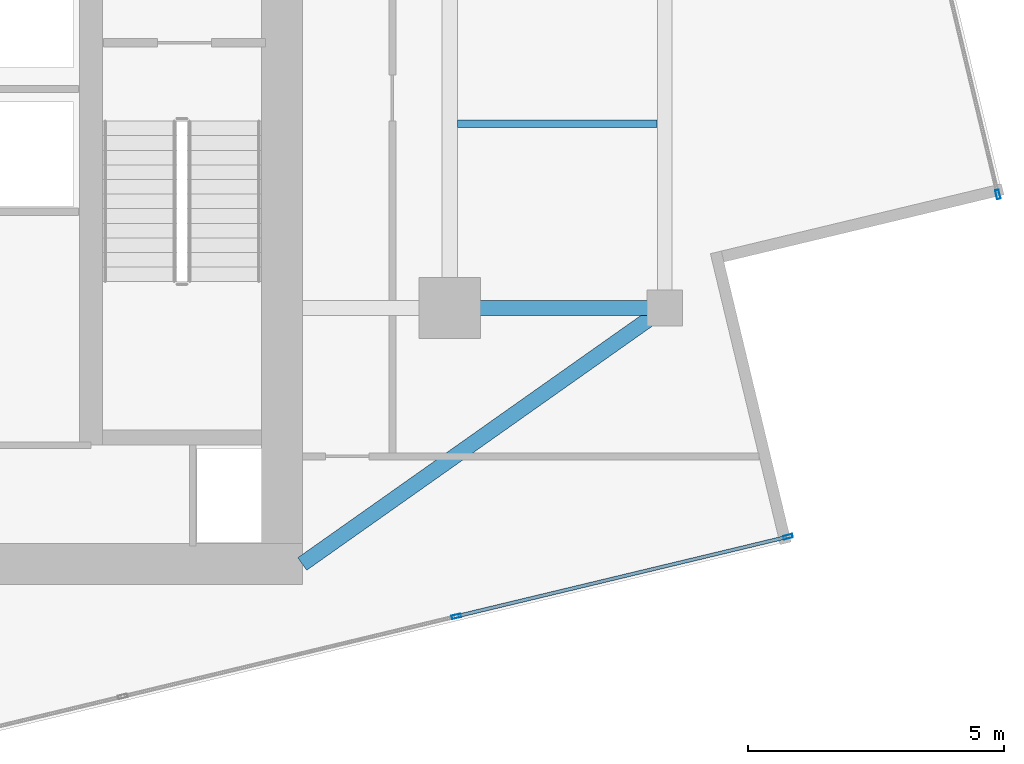
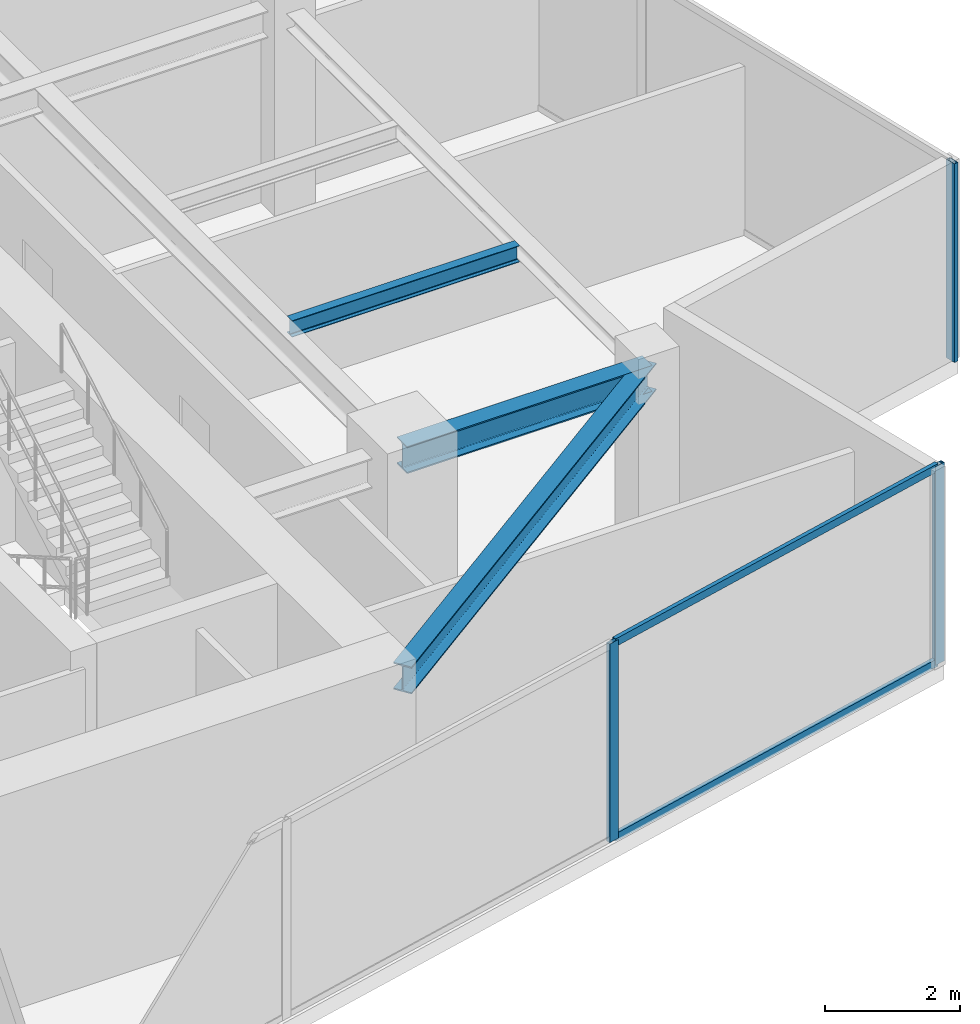
# One storey, part 9 of 22: 5 members, 3 beams, 2 elements without a shape of their own.
"""IFC4 building model written with IfcOpenShell, lengths in metres."""

from ifc_helpers import new_model, si_unit, direction, frame, origin, origin_2d, place, context, subcontext, project, spatial, hollow_rectangle, i_section, extrude, source, transform, mapped, material, material_profile, profile_set, type_object, type_shapes, element, aggregate, save


model = new_model("IFC4")

# Units and contexts
model_context = context("Model", 3, precision=1e-05, world=origin(), true_north=direction((0.0, 1.0)))
body_context = subcontext(model_context, "Body", "Model", "MODEL_VIEW")
ifc_project = project(units=[si_unit("LENGTHUNIT", "METRE"), si_unit("AREAUNIT", "SQUARE_METRE"), si_unit("VOLUMEUNIT", "CUBIC_METRE"), si_unit("PLANEANGLEUNIT", "RADIAN"), si_unit("MASSUNIT", "GRAM", prefix="KILO")], contexts=[model_context])

# Site, building, storey
site_placement = place(None, origin())
site = spatial("IfcSite", under=ifc_project, at=site_placement, CompositionType="ELEMENT")
building_placement = place(site_placement, origin())
building = spatial("IfcBuilding", under=site, at=building_placement, Name="Krantzveldt Concourse Tower", CompositionType="ELEMENT")
storey_placement = place(building_placement, frame((0.0, 0.0, 359.300048828125)))
storey = spatial("IfcBuildingStorey", under=building, at=storey_placement, Name="L88", CompositionType="ELEMENT", Elevation=359.300048828125)

# Beams
ifc_material_1 = material(Name="Steel S355JR", Category="steel")
ifc_material_profile_1 = material_profile(ifc_material_1, i_section(OverallWidth=0.300048828125, OverallDepth=0.489990234375, WebThickness=0.011962890625, FlangeThickness=0.02294921875, FilletRadius=0.027099609375, at=origin_2d()), Name="Steel S355JR", Category="steel")
ifc_profile_set_1 = profile_set([ifc_material_profile_1], Name="Steel S355JR - HEA 500")
beam_type_1 = type_object("IfcBeamType", Name="BM-B-HEA500", PredefinedType="BEAM", material=ifc_profile_set_1)
shared_shape_1 = source(origin(), body_context, "Body", "SweptSolid", [
    extrude(i_section(OverallWidth=0.300048828125, OverallDepth=0.489990234375, WebThickness=0.011962890625, FlangeThickness=0.02294921875, FilletRadius=0.027099609375, at=origin_2d()), origin(), (0.0, 0.0, 1.0), 4.199951171875),
])
beam_1_placement = place(storey_placement, frame((46.800048828125, 15.89990234375, 3.35498046875), z_axis=(1.0, 0.0, 0.0), x_axis=(0.0, 1.0, 0.0)))
element("IfcBeam", 1, at=beam_1_placement, inside=storey, type_object=beam_type_1, Name="L88 Tower Girder BR-RR1", PredefinedType="BEAM", context=body_context, shape_type="MappedRepresentation", body=[
    mapped(shared_shape_1, transform((0.0, 0.0, 0.0), x_axis=(1.0, 0.0, 0.0), y_axis=(0.0, 1.0, 0.0), z_axis=(0.0, 0.0, 1.0), scale=1.0)),
])
shared_shape_2 = source(origin(), body_context, "Body", "SweptSolid", [
    extrude(i_section(OverallWidth=0.300048828125, OverallDepth=0.489990234375, WebThickness=0.011962890625, FlangeThickness=0.02294921875, FilletRadius=0.027099609375, at=origin_2d()), origin(), (0.0, 0.0, 1.0), 8.667724609375),
])
type_shapes(beam_type_1, [shared_shape_1, shared_shape_2])
beam_2_placement = place(storey_placement, frame((51.0, 15.89990234375, 3.35498046875), z_axis=(-0.81684294656, -0.576860122261, 0.0), x_axis=(0.576860122261, -0.81684294656, 0.0)))
element("IfcBeam", 2, at=beam_2_placement, inside=storey, type_object=beam_type_1, Name="L88 Tower Girder BR-CSE", PredefinedType="BEAM", context=body_context, shape_type="MappedRepresentation", body=[
    mapped(shared_shape_2, transform((0.0, 0.0, 0.0), x_axis=(1.0, 0.0, 0.0), y_axis=(0.0, 1.0, 0.0), z_axis=(0.0, 0.0, 1.0), scale=1.0)),
])
ifc_material_profile_2 = material_profile(ifc_material_1, i_section(OverallWidth=0.14990234375, OverallDepth=0.300048828125, WebThickness=0.007080078125, FlangeThickness=0.0107421875, FilletRadius=0.014892578125, at=origin_2d()), Name="Steel S355JR", Category="steel")
ifc_profile_set_2 = profile_set([ifc_material_profile_2], Name="Steel S355JR - IPE 300")
beam_type_2 = type_object("IfcBeamType", Name="BM-J-IPE300", PredefinedType="JOIST", material=ifc_profile_set_2)
shared_shape_3 = source(origin(), body_context, "Body", "SweptSolid", [
    extrude(i_section(OverallWidth=0.14990234375, OverallDepth=0.300048828125, WebThickness=0.007080078125, FlangeThickness=0.0107421875, FilletRadius=0.014892578125, at=origin_2d()), origin(), (0.0, 0.0, 1.0), 3.900146484375),
])
type_shapes(beam_type_2, [shared_shape_3])
beam_3_placement = place(storey_placement, frame((46.949951171875, 19.5, 3.449951171875), z_axis=(1.0, 0.0, 0.0), x_axis=(0.0, 1.0, 0.0)))
element("IfcBeam", 3, at=beam_3_placement, inside=storey, type_object=beam_type_2, Name="L88 Secondary Floor Joist JE-1", PredefinedType="JOIST", context=body_context, shape_type="MappedRepresentation", body=[
    mapped(shared_shape_3, transform((0.0, 0.0, 0.0), x_axis=(1.0, 0.0, 0.0), y_axis=(0.0, 1.0, 0.0), z_axis=(0.0, 0.0, 1.0), scale=1.0)),
])

# Curtain wall, members
ifc_material_2 = material(Name="Anodised aluminium 6063-T6", Category="aluminium")
curtain_wall_type = type_object("IfcCurtainWallType", Name="CW4", PredefinedType="USERDEFINED", material=ifc_material_2)
curtain_wall_1_placement = place(storey_placement, origin())
curtain_wall_1 = element("IfcCurtainWall", 4, at=curtain_wall_1_placement, inside=storey, type_object=curtain_wall_type, Name="CW-L88-F07", ObjectType="UNITISED CURTAIN WALL", PredefinedType="USERDEFINED")
ifc_material_profile_3 = material_profile(ifc_material_2, hollow_rectangle(XDim=0.070068359375, YDim=0.139892578125, WallThickness=0.0048828125, at=origin_2d()), Name="Anodised aluminium 6063-T6", Category="aluminium")
ifc_profile_set_3 = profile_set([ifc_material_profile_3], Name="Anodised aluminium 6063-T6 - ALU-TRAN 140x70x5")
member_type_1 = type_object("IfcMemberType", Name="CW-TRN-150", PredefinedType="USERDEFINED", material=ifc_profile_set_3)
shared_shape_4 = source(origin(), body_context, "Body", "SweptSolid", [
    extrude(hollow_rectangle(XDim=0.070068359375, YDim=0.139892578125, WallThickness=0.0048828125, at=origin_2d()), origin(), (0.0, 0.0, 1.0), 6.594970703125),
])
type_shapes(member_type_1, [shared_shape_4])
member_1_placement = place(storey_placement, frame((46.96337890625, 9.884765625, 0.034912109375), z_axis=(0.972371170466, 0.233440156887, 0.0), x_axis=(-0.233440156887, 0.972371170466, 0.0)))
member_1 = element("IfcMember", 5, at=member_1_placement, type_object=member_type_1, Name="CW-Z56 transom 4.1", ObjectType="TRANSOM", PredefinedType="USERDEFINED", context=body_context, shape_type="MappedRepresentation", body=[
    mapped(shared_shape_4, transform((0.0, 0.0, 0.0), x_axis=(1.0, 0.0, 0.0), y_axis=(0.0, 1.0, 0.0), z_axis=(0.0, 0.0, 1.0), scale=1.0)),
])
member_2_placement = place(storey_placement, frame((46.96337890625, 9.884765625, 3.56494140625), z_axis=(0.972371170466, 0.233440156887, 0.0), x_axis=(-0.233440156887, 0.972371170466, 0.0)))
member_2 = element("IfcMember", 6, at=member_2_placement, type_object=member_type_1, Name="CW-Z56 transom 4.2", ObjectType="TRANSOM", PredefinedType="USERDEFINED", context=body_context, shape_type="MappedRepresentation", body=[
    mapped(shared_shape_4, transform((0.0, 0.0, 0.0), x_axis=(1.0, 0.0, 0.0), y_axis=(0.0, 1.0, 0.0), z_axis=(0.0, 0.0, 1.0), scale=1.0)),
])
ifc_material_profile_4 = material_profile(ifc_material_2, hollow_rectangle(XDim=0.070068359375, YDim=0.179931640625, WallThickness=0.0048828125, at=origin_2d()), Name="Anodised aluminium 6063-T6", Category="aluminium")
ifc_profile_set_4 = profile_set([ifc_material_profile_4], Name="Anodised aluminium 6063-T6 - ALU-MULL 180x70x5")
member_type_2 = type_object("IfcMemberType", Name="CW-MUL-180", PredefinedType="MULLION", material=ifc_profile_set_4)
shared_shape_5 = source(origin(), body_context, "Body", "SweptSolid", [
    extrude(hollow_rectangle(XDim=0.070068359375, YDim=0.179931640625, WallThickness=0.0048828125, at=origin_2d()), origin(), (0.0, 0.0, 1.0), 3.599853515625),
])
type_shapes(member_type_2, [shared_shape_5])
member_3_placement = place(storey_placement, frame((46.929443359375, 9.87646484375, 0.0), z_axis=(0.0, 0.0, 1.0), x_axis=(-0.233445461796, 0.972369896884, 0.0)))
member_3 = element("IfcMember", 7, at=member_3_placement, type_object=member_type_2, Name="CW-Z56 mullion 4", PredefinedType="MULLION", context=body_context, shape_type="MappedRepresentation", body=[
    mapped(shared_shape_5, transform((0.0, 0.0, 0.0), x_axis=(1.0, 0.0, 0.0), y_axis=(0.0, 1.0, 0.0), z_axis=(0.0, 0.0, 1.0), scale=1.0)),
])
member_4_placement = place(storey_placement, frame((53.41015625, 11.432373046875, 0.0), z_axis=(0.0, 0.0, 1.0), x_axis=(-0.233445461796, 0.972369896884, 0.0)))
member_4 = element("IfcMember", 8, at=member_4_placement, type_object=member_type_2, Name="CW-Z56 mullion 5", PredefinedType="MULLION", context=body_context, shape_type="MappedRepresentation", body=[
    mapped(shared_shape_5, transform((0.0, 0.0, 0.0), x_axis=(1.0, 0.0, 0.0), y_axis=(0.0, 1.0, 0.0), z_axis=(0.0, 0.0, 1.0), scale=1.0)),
])
aggregate(curtain_wall_1, [member_3, member_4, member_1, member_2])

# Curtain wall, member
curtain_wall_2_placement = place(storey_placement, origin())
curtain_wall_2 = element("IfcCurtainWall", 9, at=curtain_wall_2_placement, inside=storey, type_object=curtain_wall_type, Name="CW-L88-F10", ObjectType="UNITISED CURTAIN WALL", PredefinedType="USERDEFINED")
member_5_placement = place(storey_placement, frame((57.507568359375, 18.11865234375, 0.0), z_axis=(0.0, 0.0, 1.0), x_axis=(-0.972369896884, -0.233445461796, 0.0)))
member_5 = element("IfcMember", 10, at=member_5_placement, type_object=member_type_2, Name="CW-Z56 mullion 1", PredefinedType="MULLION", context=body_context, shape_type="MappedRepresentation", body=[
    mapped(shared_shape_5, transform((0.0, 0.0, 0.0), x_axis=(1.0, 0.0, 0.0), y_axis=(0.0, 1.0, 0.0), z_axis=(0.0, 0.0, 1.0), scale=1.0)),
])
aggregate(curtain_wall_2, [member_5])

save(model, "model.ifc")
